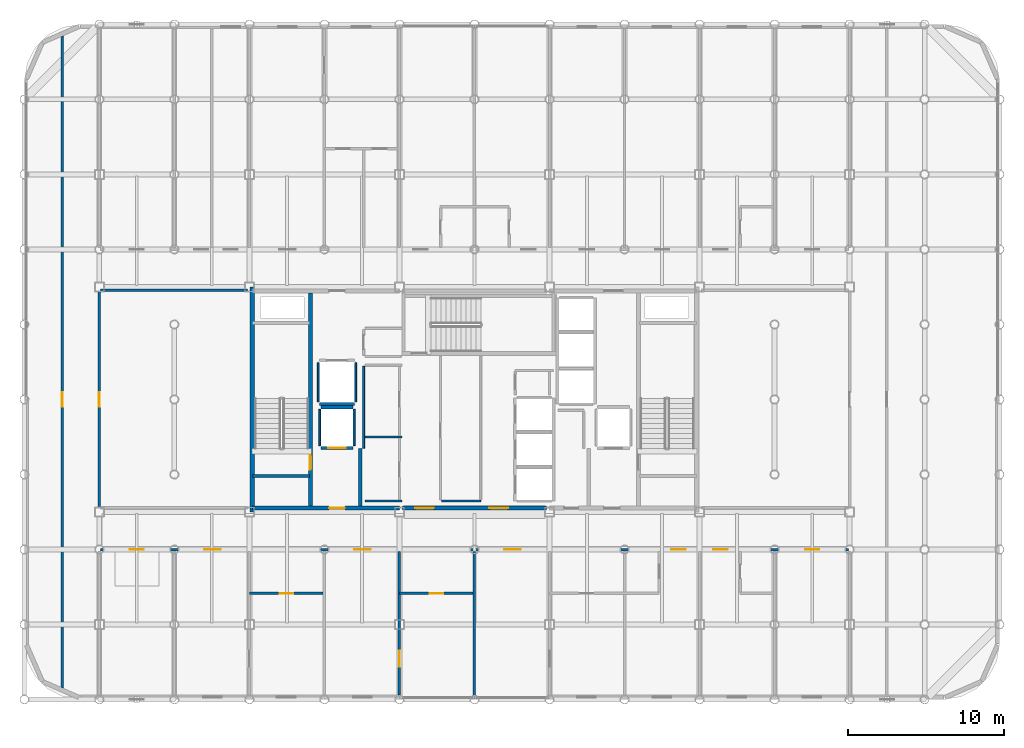
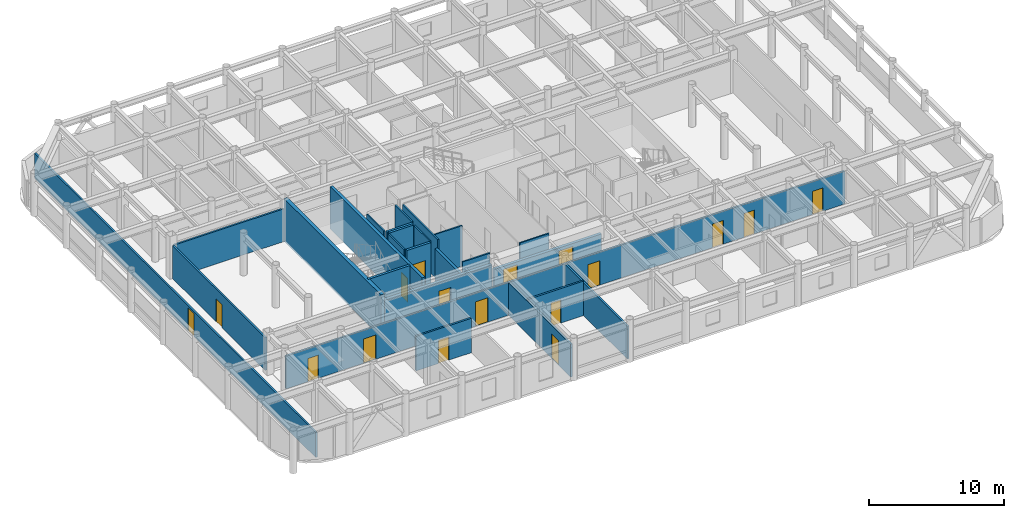
# One storey, part 18 of 24: 25 walls, 17 doors, 17 openings.
"""IFC4 building model written with IfcOpenShell, lengths in metres."""

from ifc_helpers import new_model, si_unit, direction, frame, frame_2d, origin, place, context, subcontext, project, spatial, rectangle, extrude, material, layer, layer_set, type_object, element, fill, save


model = new_model("IFC4")

# Units and contexts
model_context = context("Model", 3, precision=1e-05, world=origin(), true_north=direction((0.0, 1.0)))
body_context = subcontext(model_context, "Body", "Model", "MODEL_VIEW")
ifc_project = project(units=[si_unit("LENGTHUNIT", "METRE"), si_unit("AREAUNIT", "SQUARE_METRE"), si_unit("VOLUMEUNIT", "CUBIC_METRE"), si_unit("PLANEANGLEUNIT", "RADIAN"), si_unit("MASSUNIT", "GRAM", prefix="KILO")], contexts=[model_context])

# Site, building, storey
site_placement = place(None, origin())
site = spatial("IfcSite", under=ifc_project, at=site_placement, CompositionType="ELEMENT")
building_placement = place(site_placement, origin())
building = spatial("IfcBuilding", under=site, at=building_placement, Name="Kallvorn Hotel Tower", CompositionType="ELEMENT")
storey_placement = place(building_placement, frame((0.0, 0.0, 233.85009765625)))
storey = spatial("IfcBuildingStorey", under=building, at=storey_placement, Name="L58", CompositionType="ELEMENT", Elevation=233.85009765625)

# Wall
ifc_material_1 = material(Name="Concrete C50/60", Category="concrete")
ifc_layer_1 = layer(ifc_material_1, 0.300048828125)
ifc_layer_set_1 = layer_set([ifc_layer_1], Name="WL_CORE_300")
wall_type_1 = type_object("IfcWallType", Name="WL_CORE_300", PredefinedType="SHEAR", material=ifc_layer_set_1)
wall_1_placement = place(storey_placement, frame((-14.215087890625, -7.199951171875, -0.18017578125), z_axis=(0.0, 0.0, 1.0), x_axis=(0.0, 1.0, 0.0)))
element("IfcWall", 1, at=wall_1_placement, inside=storey, type_object=wall_type_1, Name="L58 Core West Shear Wall", PredefinedType="SHEAR", context=body_context, shape_type="SweptSolid", body=[
    extrude(rectangle(XDim=14.39990234375, YDim=0.300048828125, at=frame_2d((7.199951171875, 0.0))), origin(), (0.0, 0.0, 1.0), 3.85009765625),
])

# Wall, opening, door
ifc_material_2 = material(Name="Fire-rated double-layer acoustic gypsum drywall EI 60")
ifc_layer_2 = layer(ifc_material_2, 0.159912109375)
ifc_layer_set_2 = layer_set([ifc_layer_2], Name="WL_DEMISE_160")
wall_type_2 = type_object("IfcWallType", Name="WL_DEMISE_160", PredefinedType="PARTITIONING", material=ifc_layer_set_2)
wall_2_placement = place(storey_placement, frame((-14.39990234375, -12.409912109375, 0.0), z_axis=(0.0, 0.0, 1.0), x_axis=(1.0, 0.0, 0.0)))
wall_2 = element("IfcWall", 2, at=wall_2_placement, inside=storey, type_object=wall_type_2, Name="L58 Suite 5801 Executive Bedroom Partition", PredefinedType="PARTITIONING", context=body_context, shape_type="SweptSolid", body=[
    extrude(rectangle(XDim=4.719970703125, YDim=0.159912109375, at=frame_2d((2.35986328125, 0.0))), origin(), (0.0, 0.0, 1.0), 3.119873046875),
])
opening_1_placement = place(wall_2_placement, frame((1.929931640625, 0.0, 0.0)))
opening_1 = element("IfcOpeningElement", 3, at=opening_1_placement, cuts=wall_2, Name="Opening BD-I", PredefinedType="OPENING", context=body_context, shape_type="SweptSolid", body=[
    extrude(rectangle(XDim=0.860107421875, YDim=2.10009765625, at=frame_2d((0.43017578125, 1.050048828125))), frame((0.0, 0.094970703125, 0.0), z_axis=(0.0, -1.0, 0.0), x_axis=(1.0, 0.0, 0.0)), (0.0, 0.0, 1.0), 0.18994140625),
])
ifc_material_3 = material(Name="Solid-core walnut veneer fire-rated timber door leaf", Category="wood")
door_type_1 = type_object("IfcDoorType", Name="DR_BATH_860x2100", OperationType="NOTDEFINED", PredefinedType="DOOR", material=ifc_material_3)
door_1_placement = place(opening_1_placement, origin())
door_1 = element("IfcDoor", 4, at=door_1_placement, inside=storey, type_object=door_type_1, Name="L58 Suite 5801 En-Suite Bathroom Door", OperationType="SINGLE_SWING_RIGHT", OverallHeight=2.10009765625, OverallWidth=0.860107421875, PredefinedType="DOOR", context=body_context, shape_type="SweptSolid", body=[
    extrude(rectangle(XDim=0.860107421875, YDim=2.10009765625, at=frame_2d((0.43017578125, 1.050048828125))), frame((0.0, 0.02490234375, 0.0), z_axis=(0.0, -1.0, 0.0), x_axis=(1.0, 0.0, 0.0)), (0.0, 0.0, 1.0), 0.050048828125),
])
fill(opening_1, door_1)

wall_3_placement = place(storey_placement, frame((-4.800048828125, -12.409912109375, 0.0), z_axis=(0.0, 0.0, 1.0), x_axis=(1.0, 0.0, 0.0)))
wall_3 = element("IfcWall", 5, at=wall_3_placement, inside=storey, type_object=wall_type_2, Name="L58 Suite 5802 Executive Bedroom Partition", PredefinedType="PARTITIONING", context=body_context, shape_type="SweptSolid", body=[
    extrude(rectangle(XDim=4.719970703125, YDim=0.159912109375, at=frame_2d((2.35986328125, 0.0))), origin(), (0.0, 0.0, 1.0), 3.119873046875),
])
opening_2_placement = place(wall_3_placement, frame((1.929931640625, 0.0, 0.0)))
opening_2 = element("IfcOpeningElement", 6, at=opening_2_placement, cuts=wall_3, Name="Opening BD-I", PredefinedType="OPENING", context=body_context, shape_type="SweptSolid", body=[
    extrude(rectangle(XDim=0.860107421875, YDim=2.10009765625, at=frame_2d((0.43017578125, 1.050048828125))), frame((0.0, 0.094970703125, 0.0), z_axis=(0.0, -1.0, 0.0), x_axis=(1.0, 0.0, 0.0)), (0.0, 0.0, 1.0), 0.18994140625),
])
door_2_placement = place(opening_2_placement, origin())
door_2 = element("IfcDoor", 7, at=door_2_placement, inside=storey, type_object=door_type_1, Name="L58 Suite 5802 En-Suite Bathroom Door", OperationType="SINGLE_SWING_RIGHT", OverallHeight=2.10009765625, OverallWidth=0.860107421875, PredefinedType="DOOR", context=body_context, shape_type="SweptSolid", body=[
    extrude(rectangle(XDim=0.860107421875, YDim=2.10009765625, at=frame_2d((0.43017578125, 1.050048828125))), frame((0.0, 0.02490234375, 0.0), z_axis=(0.0, -1.0, 0.0), x_axis=(1.0, 0.0, 0.0)), (0.0, 0.0, 1.0), 0.050048828125),
])
fill(opening_2, door_2)

# Wall, openings, doors
wall_4_placement = place(storey_placement, frame((-23.919921875, -9.60009765625, 0.0), z_axis=(0.0, 0.0, 1.0), x_axis=(1.0, 0.0, 0.0)))
wall_4 = element("IfcWall", 8, at=wall_4_placement, inside=storey, type_object=wall_type_2, Name="L58 Suite 5801 Executive Living Salon Partition", PredefinedType="PARTITIONING", context=body_context, shape_type="SweptSolid", body=[
    extrude(rectangle(XDim=47.83984375, YDim=0.159912109375, at=frame_2d((23.919921875, 0.0))), origin(), (0.0, 0.0, 1.0), 2.969970703125),
])
opening_3_placement = place(wall_4_placement, frame((1.8701171875, 0.0, 0.0)))
opening_3 = element("IfcOpeningElement", 9, at=opening_3_placement, cuts=wall_4, Name="Opening SVD1", PredefinedType="OPENING", context=body_context, shape_type="SweptSolid", body=[
    extrude(rectangle(XDim=0.89990234375, YDim=2.10009765625, at=frame_2d((0.449951171875, 1.050048828125))), frame((0.0, 0.094970703125, 0.0), z_axis=(0.0, -1.0, 0.0), x_axis=(1.0, 0.0, 0.0)), (0.0, 0.0, 1.0), 0.18994140625),
])
opening_4_placement = place(wall_4_placement, frame((45.070068359375, 0.0, 0.0)))
opening_4 = element("IfcOpeningElement", 10, at=opening_4_placement, cuts=wall_4, Name="Opening SVD1", PredefinedType="OPENING", context=body_context, shape_type="SweptSolid", body=[
    extrude(rectangle(XDim=0.89990234375, YDim=2.10009765625, at=frame_2d((0.449951171875, 1.050048828125))), frame((0.0, 0.094970703125, 0.0), z_axis=(0.0, -1.0, 0.0), x_axis=(1.0, 0.0, 0.0)), (0.0, 0.0, 1.0), 0.18994140625),
])
opening_5_placement = place(wall_4_placement, frame((6.635009765625, 0.0, 0.0)))
opening_5 = element("IfcOpeningElement", 11, at=opening_5_placement, cuts=wall_4, Name="Opening GD2", PredefinedType="OPENING", context=body_context, shape_type="SweptSolid", body=[
    extrude(rectangle(XDim=1.050048828125, YDim=2.199951171875, at=frame_2d((0.52490234375, 1.10009765625))), frame((0.0, 0.094970703125, 0.0), z_axis=(0.0, -1.0, 0.0), x_axis=(1.0, 0.0, 0.0)), (0.0, 0.0, 1.0), 0.18994140625),
])
opening_6_placement = place(wall_4_placement, frame((16.235107421875, 0.0, 0.0)))
opening_6 = element("IfcOpeningElement", 12, at=opening_6_placement, cuts=wall_4, Name="Opening GD2", PredefinedType="OPENING", context=body_context, shape_type="SweptSolid", body=[
    extrude(rectangle(XDim=1.050048828125, YDim=2.199951171875, at=frame_2d((0.52490234375, 1.10009765625))), frame((0.0, 0.094970703125, 0.0), z_axis=(0.0, -1.0, 0.0), x_axis=(1.0, 0.0, 0.0)), (0.0, 0.0, 1.0), 0.18994140625),
])
opening_7_placement = place(wall_4_placement, frame((25.8349609375, 0.0, 0.0)))
opening_7 = element("IfcOpeningElement", 13, at=opening_7_placement, cuts=wall_4, Name="Opening GD2", PredefinedType="OPENING", context=body_context, shape_type="SweptSolid", body=[
    extrude(rectangle(XDim=1.050048828125, YDim=2.199951171875, at=frame_2d((0.52490234375, 1.10009765625))), frame((0.0, 0.094970703125, 0.0), z_axis=(0.0, -1.0, 0.0), x_axis=(1.0, 0.0, 0.0)), (0.0, 0.0, 1.0), 0.18994140625),
])
opening_8_placement = place(wall_4_placement, frame((36.52490234375, 0.0, 0.0)))
opening_8 = element("IfcOpeningElement", 14, at=opening_8_placement, cuts=wall_4, Name="Opening GD1", PredefinedType="OPENING", context=body_context, shape_type="SweptSolid", body=[
    extrude(rectangle(XDim=0.919921875, YDim=2.14990234375, at=frame_2d((0.4599609375, 1.074951171875))), frame((0.0, 0.094970703125, 0.0), z_axis=(0.0, -1.0, 0.0), x_axis=(1.0, 0.0, 0.0)), (0.0, 0.0, 1.0), 0.18994140625),
])
opening_9_placement = place(wall_4_placement, frame((39.195068359375, 0.0, 0.0)))
opening_9 = element("IfcOpeningElement", 15, at=opening_9_placement, cuts=wall_4, Name="Opening GD1", PredefinedType="OPENING", context=body_context, shape_type="SweptSolid", body=[
    extrude(rectangle(XDim=0.919921875, YDim=2.14990234375, at=frame_2d((0.4599609375, 1.074951171875))), frame((0.0, 0.094970703125, 0.0), z_axis=(0.0, -1.0, 0.0), x_axis=(1.0, 0.0, 0.0)), (0.0, 0.0, 1.0), 0.18994140625),
])
ifc_material_4 = material(Name="Solid-core walnut veneer fire-rated timber door leaf", Category="wood")
door_type_2 = type_object("IfcDoorType", Name="DR_GUEST_920x2150", OperationType="NOTDEFINED", PredefinedType="DOOR", material=ifc_material_4)
door_3_placement = place(opening_8_placement, origin())
door_3 = element("IfcDoor", 16, at=door_3_placement, inside=storey, type_object=door_type_2, Name="L58 Suite 5804 Deluxe King Room Door", OperationType="SINGLE_SWING_RIGHT", OverallHeight=2.14990234375, OverallWidth=0.919921875, PredefinedType="DOOR", context=body_context, shape_type="SweptSolid", body=[
    extrude(rectangle(XDim=0.919921875, YDim=2.14990234375, at=frame_2d((0.4599609375, 1.074951171875))), frame((0.0, 0.02490234375, 0.0), z_axis=(0.0, -1.0, 0.0), x_axis=(1.0, 0.0, 0.0)), (0.0, 0.0, 1.0), 0.050048828125),
])
fill(opening_8, door_3)
door_4_placement = place(opening_9_placement, origin())
door_4 = element("IfcDoor", 17, at=door_4_placement, inside=storey, type_object=door_type_2, Name="L58 Suite 5805 Deluxe King Room Door", OperationType="SINGLE_SWING_RIGHT", OverallHeight=2.14990234375, OverallWidth=0.919921875, PredefinedType="DOOR", context=body_context, shape_type="SweptSolid", body=[
    extrude(rectangle(XDim=0.919921875, YDim=2.14990234375, at=frame_2d((0.4599609375, 1.074951171875))), frame((0.0, 0.02490234375, 0.0), z_axis=(0.0, -1.0, 0.0), x_axis=(1.0, 0.0, 0.0)), (0.0, 0.0, 1.0), 0.050048828125),
])
fill(opening_9, door_4)
ifc_material_5 = material(Name="Galvanised painted steel fire-rated door assembly", Category="steel")
door_type_3 = type_object("IfcDoorType", Name="DR_SERV_900x2100", OperationType="NOTDEFINED", PredefinedType="DOOR", material=ifc_material_5)
door_5_placement = place(opening_3_placement, origin())
door_5 = element("IfcDoor", 18, at=door_5_placement, inside=storey, type_object=door_type_3, Name="L58 L58 High-Zone South-West Tea Bar Door", OperationType="SINGLE_SWING_LEFT", OverallHeight=2.10009765625, OverallWidth=0.89990234375, PredefinedType="DOOR", context=body_context, shape_type="SweptSolid", body=[
    extrude(rectangle(XDim=0.89990234375, YDim=2.10009765625, at=frame_2d((0.449951171875, 1.050048828125))), frame((0.0, 0.02490234375, 0.0), z_axis=(0.0, -1.0, 0.0), x_axis=(1.0, 0.0, 0.0)), (0.0, 0.0, 1.0), 0.050048828125),
])
fill(opening_3, door_5)
door_6_placement = place(opening_4_placement, origin())
door_6 = element("IfcDoor", 19, at=door_6_placement, inside=storey, type_object=door_type_3, Name="L58 L58 High-Zone South-East Wine Bar Door", OperationType="SINGLE_SWING_LEFT", OverallHeight=2.10009765625, OverallWidth=0.89990234375, PredefinedType="DOOR", context=body_context, shape_type="SweptSolid", body=[
    extrude(rectangle(XDim=0.89990234375, YDim=2.10009765625, at=frame_2d((0.449951171875, 1.050048828125))), frame((0.0, 0.02490234375, 0.0), z_axis=(0.0, -1.0, 0.0), x_axis=(1.0, 0.0, 0.0)), (0.0, 0.0, 1.0), 0.050048828125),
])
fill(opening_4, door_6)
ifc_material_6 = material(Name="Solid-core walnut veneer fire-rated timber door leaf", Category="wood")
door_type_4 = type_object("IfcDoorType", Name="DR_SUITE_1050x2200", OperationType="NOTDEFINED", PredefinedType="DOOR", material=ifc_material_6)
door_7_placement = place(opening_5_placement, origin())
door_7 = element("IfcDoor", 20, at=door_7_placement, inside=storey, type_object=door_type_4, Name="L58 Suite 5801 Executive Living Salon Door", OperationType="SINGLE_SWING_LEFT", OverallHeight=2.199951171875, OverallWidth=1.050048828125, PredefinedType="DOOR", context=body_context, shape_type="SweptSolid", body=[
    extrude(rectangle(XDim=1.050048828125, YDim=2.199951171875, at=frame_2d((0.52490234375, 1.10009765625))), frame((0.0, 0.02490234375, 0.0), z_axis=(0.0, -1.0, 0.0), x_axis=(1.0, 0.0, 0.0)), (0.0, 0.0, 1.0), 0.050048828125),
])
fill(opening_5, door_7)
door_8_placement = place(opening_6_placement, origin())
door_8 = element("IfcDoor", 21, at=door_8_placement, inside=storey, type_object=door_type_4, Name="L58 Suite 5802 Executive Living Salon Door", OperationType="SINGLE_SWING_RIGHT", OverallHeight=2.199951171875, OverallWidth=1.050048828125, PredefinedType="DOOR", context=body_context, shape_type="SweptSolid", body=[
    extrude(rectangle(XDim=1.050048828125, YDim=2.199951171875, at=frame_2d((0.52490234375, 1.10009765625))), frame((0.0, 0.02490234375, 0.0), z_axis=(0.0, -1.0, 0.0), x_axis=(1.0, 0.0, 0.0)), (0.0, 0.0, 1.0), 0.050048828125),
])
fill(opening_6, door_8)
door_9_placement = place(opening_7_placement, origin())
door_9 = element("IfcDoor", 22, at=door_9_placement, inside=storey, type_object=door_type_4, Name="L58 Suite 5803 Executive Living Salon Door", OperationType="SINGLE_SWING_RIGHT", OverallHeight=2.199951171875, OverallWidth=1.050048828125, PredefinedType="DOOR", context=body_context, shape_type="SweptSolid", body=[
    extrude(rectangle(XDim=1.050048828125, YDim=2.199951171875, at=frame_2d((0.52490234375, 1.10009765625))), frame((0.0, 0.02490234375, 0.0), z_axis=(0.0, -1.0, 0.0), x_axis=(1.0, 0.0, 0.0)), (0.0, 0.0, 1.0), 0.050048828125),
])
fill(opening_7, door_9)

# Wall, opening, door
wall_5_placement = place(storey_placement, frame((-4.800048828125, -18.909912109375, 0.0), z_axis=(0.0, 0.0, 1.0), x_axis=(0.0, 1.0, 0.0)))
wall_5 = element("IfcWall", 23, at=wall_5_placement, inside=storey, type_object=wall_type_2, Name="L58 Suite 5802 Executive Bedroom Partition", PredefinedType="PARTITIONING", context=body_context, shape_type="SweptSolid", body=[
    extrude(rectangle(XDim=9.18994140625, YDim=0.159912109375, at=frame_2d((4.594970703125, 0.0))), origin(), (0.0, 0.0, 1.0), 2.969970703125),
])
opening_10_placement = place(wall_5_placement, frame((1.79296875, 0.0, 0.0)))
opening_10 = element("IfcOpeningElement", 24, at=opening_10_placement, cuts=wall_5, Name="Opening GD2", PredefinedType="OPENING", context=body_context, shape_type="SweptSolid", body=[
    extrude(rectangle(XDim=1.050048828125, YDim=2.199951171875, at=frame_2d((0.52490234375, 1.10009765625))), frame((0.0, 0.094970703125, 0.0), z_axis=(0.0, -1.0, 0.0), x_axis=(1.0, 0.0, 0.0)), (0.0, 0.0, 1.0), 0.18994140625),
])
door_10_placement = place(opening_10_placement, origin())
door_10 = element("IfcDoor", 25, at=door_10_placement, inside=storey, type_object=door_type_4, Name="L58 Suite 5802 Executive Bedroom Door", OperationType="SINGLE_SWING_LEFT", OverallHeight=2.199951171875, OverallWidth=1.050048828125, PredefinedType="DOOR", context=body_context, shape_type="SweptSolid", body=[
    extrude(rectangle(XDim=1.050048828125, YDim=2.199951171875, at=frame_2d((0.52490234375, 1.10009765625))), frame((0.0, 0.02490234375, 0.0), z_axis=(0.0, -1.0, 0.0), x_axis=(1.0, 0.0, 0.0)), (0.0, 0.0, 1.0), 0.050048828125),
])
fill(opening_10, door_10)

# Walls
wall_6_placement = place(storey_placement, frame((0.0, -18.9951171875, 0.0), z_axis=(0.0, 0.0, 1.0), x_axis=(0.0, 1.0, 0.0)))
element("IfcWall", 26, at=wall_6_placement, inside=storey, type_object=wall_type_2, Name="L58 Suite 5802 Executive Bedroom Partition", PredefinedType="PARTITIONING", context=body_context, shape_type="SweptSolid", body=[
    extrude(rectangle(XDim=9.275146484375, YDim=0.159912109375, at=frame_2d((4.6376953125, 0.0))), origin(), (0.0, 0.0, 1.0), 2.969970703125),
])
ifc_material_7 = material(Name="Concrete C40/50", Category="concrete")
ifc_layer_3 = layer(ifc_material_7, 0.219970703125)
ifc_layer_set_3 = layer_set([ifc_layer_3], Name="WL_FFL_220")
wall_type_3 = type_object("IfcWallType", Name="WL_FFL_220", PredefinedType="SOLIDWALL", material=ifc_layer_set_3)
wall_7_placement = place(storey_placement, frame((-7.300048828125, -6.820068359375, 0.0), z_axis=(0.0, 0.0, 1.0), x_axis=(0.0, 1.0, 0.0)))
element("IfcWall", 27, at=wall_7_placement, inside=storey, type_object=wall_type_3, Name="L58 Firefighting Lobby West Divider Wall", PredefinedType="SOLIDWALL", context=body_context, shape_type="SweptSolid", body=[
    extrude(rectangle(XDim=3.670166015625, YDim=0.219970703125, at=frame_2d((1.8349609375, 0.0))), origin(), (0.0, 0.0, 1.0), 2.969970703125),
])
ifc_material_8 = material(Name="Concrete C40/50", Category="concrete")
ifc_layer_4 = layer(ifc_material_8, 0.199951171875)
ifc_layer_set_4 = layer_set([ifc_layer_4], Name="WL_HOIST_200")
wall_type_4 = type_object("IfcWallType", Name="WL_HOIST_200", PredefinedType="SOLIDWALL", material=ifc_layer_set_4)
wall_8_placement = place(storey_placement, frame((-14.199951171875, -4.89990234375, -0.18017578125), z_axis=(0.0, 0.0, 1.0), x_axis=(1.0, 0.0, 0.0)))
element("IfcWall", 28, at=wall_8_placement, inside=storey, type_object=wall_type_4, Name="L58 Stair ST1 South Wall", PredefinedType="SOLIDWALL", context=body_context, shape_type="SweptSolid", body=[
    extrude(rectangle(XDim=3.64990234375, YDim=0.199951171875, at=frame_2d((1.824951171875, 0.0))), origin(), (0.0, 0.0, 1.0), 3.85009765625),
])

# Wall, opening, door
wall_9_placement = place(storey_placement, frame((-9.820068359375, -3.10009765625, 0.0), z_axis=(0.0, 0.0, 1.0), x_axis=(1.0, 0.0, 0.0)))
wall_9 = element("IfcWall", 29, at=wall_9_placement, inside=storey, type_object=wall_type_4, Name="L58 FL-1 Landing Wall", PredefinedType="SOLIDWALL", context=body_context, shape_type="SweptSolid", body=[
    extrude(rectangle(XDim=2.0400390625, YDim=0.199951171875, at=frame_2d((1.02001953125, 0.0))), origin(), (0.0, 0.0, 1.0), 3.669921875),
])
opening_11_placement = place(wall_9_placement, frame((0.469970703125, 0.0, 0.0)))
opening_11 = element("IfcOpeningElement", 30, at=opening_11_placement, cuts=wall_9, Name="Opening LD-FL-1", PredefinedType="OPENING", context=body_context, shape_type="SweptSolid", body=[
    extrude(rectangle(XDim=1.10009765625, YDim=2.199951171875, at=frame_2d((0.550048828125, 1.10009765625))), frame((0.0, 0.114990234375, 0.0), z_axis=(0.0, -1.0, 0.0), x_axis=(1.0, 0.0, 0.0)), (0.0, 0.0, 1.0), 0.22998046875),
])
ifc_material_9 = material(Name="Brushed stainless-steel automatic sliding lift landing door", Category="steel")
door_type_5 = type_object("IfcDoorType", Name="LD_PASS_1100x2200", OperationType="SLIDING_TO_LEFT", PredefinedType="DOOR", material=ifc_material_9)
door_11_placement = place(opening_11_placement, origin())
door_11 = element("IfcDoor", 31, at=door_11_placement, inside=storey, type_object=door_type_5, Name="L58 Lift Landing Sliding Door LD-FL-1", OperationType="SLIDING_TO_LEFT", OverallHeight=2.199951171875, OverallWidth=1.10009765625, PredefinedType="DOOR", context=body_context, shape_type="SweptSolid", body=[
    extrude(rectangle(XDim=1.10009765625, YDim=2.199951171875, at=frame_2d((0.550048828125, 1.10009765625))), frame((0.0, 0.02490234375, 0.0), z_axis=(0.0, -1.0, 0.0), x_axis=(1.0, 0.0, 0.0)), (0.0, 0.0, 1.0), 0.050048828125),
])
fill(opening_11, door_11)

# Walls
wall_10_placement = place(storey_placement, frame((-9.820068359375, -0.5, 0.0), z_axis=(0.0, 0.0, 1.0), x_axis=(1.0, 0.0, 0.0)))
element("IfcWall", 32, at=wall_10_placement, inside=storey, type_object=wall_type_4, Name="L58 FL-1 Rear Shaft Wall", PredefinedType="SOLIDWALL", context=body_context, shape_type="SweptSolid", body=[
    extrude(rectangle(XDim=2.0400390625, YDim=0.199951171875, at=frame_2d((1.02001953125, 0.0))), origin(), (0.0, 0.0, 1.0), 3.669921875),
])
wall_11_placement = place(storey_placement, frame((-9.919921875, -0.300048828125, 0.0), z_axis=(0.0, 0.0, 1.0), x_axis=(1.0, 0.0, 0.0)))
element("IfcWall", 33, at=wall_11_placement, inside=storey, type_object=wall_type_4, Name="L58 SV-01 Rear Shaft Wall", PredefinedType="SOLIDWALL", context=body_context, shape_type="SweptSolid", body=[
    extrude(rectangle(XDim=2.239990234375, YDim=0.199951171875, at=frame_2d((1.1201171875, 0.0))), origin(), (0.0, 0.0, 1.0), 3.669921875),
])
ifc_material_10 = material(Name="Fire-rated double-layer acoustic gypsum drywall EI 60")
ifc_layer_5 = layer(ifc_material_10, 0.1201171875)
ifc_layer_set_5 = layer_set([ifc_layer_5], Name="WL_INT_120")
wall_type_5 = type_object("IfcWallType", Name="WL_INT_120", PredefinedType="PARTITIONING", material=ifc_layer_set_5)
for number, where, z_axis, x_axis, name in (
    (34, (-9.89990234375, -2.9599609375, 0.0), (0.0, 0.0, 1.0), (0.0, 1.0, 0.0), "L58 FL-1 West Shaft Wall"),
    (35, (-7.699951171875, -2.9599609375, 0.0), (0.0, 0.0, 1.0), (0.0, 1.0, 0.0), "L58 FL-1 East Shaft Wall"),
):
    element("IfcWall", number, at=place(storey_placement, frame(where, z_axis=z_axis, x_axis=x_axis)), inside=storey, type_object=wall_type_5, Name=name, PredefinedType="PARTITIONING", context=body_context, shape_type="SweptSolid", body=[
        extrude(rectangle(XDim=2.320068359375, YDim=0.1201171875, at=frame_2d((1.16015625, 0.0))), origin(), (0.0, 0.0, 1.0), 3.669921875),
    ])
for number, where, z_axis, x_axis, name in (
    (36, (-10.0, -0.159912109375, 0.0), (0.0, 0.0, 1.0), (0.0, 1.0, 0.0), "L58 SV-01 West Shaft Wall"),
    (37, (-7.60009765625, -0.159912109375, 0.0), (0.0, 0.0, 1.0), (0.0, 1.0, 0.0), "L58 SV-01 East Shaft Wall"),
):
    element("IfcWall", number, at=place(storey_placement, frame(where, z_axis=z_axis, x_axis=x_axis)), inside=storey, type_object=wall_type_5, Name=name, PredefinedType="PARTITIONING", context=body_context, shape_type="SweptSolid", body=[
        extrude(rectangle(XDim=2.52001953125, YDim=0.1201171875, at=frame_2d((1.260009765625, 0.0))), origin(), (0.0, 0.0, 1.0), 3.669921875),
    ])
wall_12_placement = place(storey_placement, frame((-7.0, -6.5, 0.0), z_axis=(0.0, 0.0, 1.0), x_axis=(1.0, 0.0, 0.0)))
element("IfcWall", 38, at=wall_12_placement, inside=storey, type_object=wall_type_5, Name="L58 Recaptured South Minibar Pantry Partition", PredefinedType="PARTITIONING", context=body_context, shape_type="SweptSolid", body=[
    extrude(rectangle(XDim=2.35009765625, YDim=0.1201171875, at=frame_2d((1.175048828125, 0.0))), origin(), (0.0, 0.0, 1.0), 3.669921875),
])
wall_13_placement = place(storey_placement, frame((-2.10009765625, -6.5, 0.0), z_axis=(0.0, 0.0, 1.0), x_axis=(1.0, 0.0, 0.0)))
element("IfcWall", 39, at=wall_13_placement, inside=storey, type_object=wall_type_5, Name="L58 Altitude Executive Pantry and Ice Room Partition", PredefinedType="PARTITIONING", context=body_context, shape_type="SweptSolid", body=[
    extrude(rectangle(XDim=2.5, YDim=0.1201171875, at=frame_2d((1.25, 0.0))), origin(), (0.0, 0.0, 1.0), 3.669921875),
])
wall_14_placement = place(storey_placement, frame((-7.0, -2.39990234375, 0.0), z_axis=(0.0, 0.0, 1.0), x_axis=(1.0, 0.0, 0.0)))
element("IfcWall", 40, at=wall_14_placement, inside=storey, type_object=wall_type_5, Name="L58 Recaptured Central Linen Store Partition", PredefinedType="PARTITIONING", context=body_context, shape_type="SweptSolid", body=[
    extrude(rectangle(XDim=2.35009765625, YDim=0.1201171875, at=frame_2d((1.175048828125, 0.0))), origin(), (0.0, 0.0, 1.0), 3.669921875),
])
wall_15_placement = place(storey_placement, frame((-7.095947265625, -3.110107421875, 0.0), z_axis=(0.0, 0.0, 1.0), x_axis=(0.0, 1.0, 0.0)))
element("IfcWall", 41, at=wall_15_placement, inside=storey, type_object=wall_type_5, Name="L58 Recaptured South Minibar Pantry Partition", PredefinedType="PARTITIONING", context=body_context, shape_type="SweptSolid", body=[
    extrude(rectangle(XDim=5.22509765625, YDim=0.1201171875, at=frame_2d((2.612548828125, 0.0))), origin(), (0.0, 0.0, 1.0), 3.669921875),
])
ifc_material_11 = material(Name="Fire-rated double-layer acoustic gypsum drywall EI 60")
ifc_layer_6 = layer(ifc_material_11, 0.14990234375)
ifc_layer_set_6 = layer_set([ifc_layer_6], Name="WL_PART_150")
wall_type_6 = type_object("IfcWallType", Name="WL_PART_150", PredefinedType="PARTITIONING", material=ifc_layer_set_6)
wall_16_placement = place(storey_placement, frame((-23.919921875, 6.97998046875, 0.0), z_axis=(0.0, 0.0, 1.0), x_axis=(1.0, 0.0, 0.0)))
element("IfcWall", 42, at=wall_16_placement, inside=storey, type_object=wall_type_6, Name="L58 L58 High-Zone Inner West Club Bar Partition", PredefinedType="PARTITIONING", context=body_context, shape_type="SweptSolid", body=[
    extrude(rectangle(XDim=9.39990234375, YDim=0.14990234375, at=frame_2d((4.699951171875, 0.0))), origin(), (0.0, 0.0, 1.0), 2.969970703125),
])

# Wall, opening, door
wall_17_placement = place(storey_placement, frame((-26.3798828125, -18.447265625, 0.0), z_axis=(0.0, 0.0, 1.0), x_axis=(0.0, 1.0, 0.0)))
wall_17 = element("IfcWall", 43, at=wall_17_placement, inside=storey, type_object=wall_type_6, Name="L58 L58 Outer West Sky Observatory Salon Partition", PredefinedType="PARTITIONING", context=body_context, shape_type="SweptSolid", body=[
    extrude(rectangle(XDim=41.694580078125, YDim=0.14990234375, at=frame_2d((20.84716796875, 0.0))), origin(), (0.0, 0.0, 1.0), 2.27001953125),
])
opening_12_placement = place(wall_17_placement, frame((17.997314453125, 0.0, 0.0)))
opening_12 = element("IfcOpeningElement", 44, at=opening_12_placement, cuts=wall_17, Name="Opening SVD1", PredefinedType="OPENING", context=body_context, shape_type="SweptSolid", body=[
    extrude(rectangle(XDim=0.89990234375, YDim=2.10009765625, at=frame_2d((0.449951171875, 1.050048828125))), frame((0.0, 0.08984375, 0.0), z_axis=(0.0, -1.0, 0.0), x_axis=(1.0, 0.0, 0.0)), (0.0, 0.0, 1.0), 0.179931640625),
])
door_12_placement = place(opening_12_placement, origin())
door_12 = element("IfcDoor", 45, at=door_12_placement, inside=storey, type_object=door_type_3, Name="L58 L58 Outer West Sky Observatory Salon Door", OperationType="SINGLE_SWING_RIGHT", OverallHeight=2.10009765625, OverallWidth=0.89990234375, PredefinedType="DOOR", context=body_context, shape_type="SweptSolid", body=[
    extrude(rectangle(XDim=0.89990234375, YDim=2.10009765625, at=frame_2d((0.449951171875, 1.050048828125))), frame((0.0, 0.02490234375, 0.0), z_axis=(0.0, -1.0, 0.0), x_axis=(1.0, 0.0, 0.0)), (0.0, 0.0, 1.0), 0.050048828125),
])
fill(opening_12, door_12)

wall_18_placement = place(storey_placement, frame((-24.0, -6.8349609375, 0.0), z_axis=(0.0, 0.0, 1.0), x_axis=(0.0, 1.0, 0.0)))
wall_18 = element("IfcWall", 46, at=wall_18_placement, inside=storey, type_object=wall_type_6, Name="L58 L58 High-Zone Inner West Club Bar Partition", PredefinedType="PARTITIONING", context=body_context, shape_type="SweptSolid", body=[
    extrude(rectangle(XDim=13.72998046875, YDim=0.14990234375, at=frame_2d((6.864990234375, 0.0))), origin(), (0.0, 0.0, 1.0), 2.969970703125),
])
opening_13_placement = place(wall_18_placement, frame((6.385009765625, 0.0, 0.0)))
opening_13 = element("IfcOpeningElement", 47, at=opening_13_placement, cuts=wall_18, Name="Opening SVD1", PredefinedType="OPENING", context=body_context, shape_type="SweptSolid", body=[
    extrude(rectangle(XDim=0.89990234375, YDim=2.10009765625, at=frame_2d((0.449951171875, 1.050048828125))), frame((0.0, 0.08984375, 0.0), z_axis=(0.0, -1.0, 0.0), x_axis=(1.0, 0.0, 0.0)), (0.0, 0.0, 1.0), 0.179931640625),
])
door_13_placement = place(opening_13_placement, origin())
door_13 = element("IfcDoor", 48, at=door_13_placement, inside=storey, type_object=door_type_3, Name="L58 L58 High-Zone Inner West Club Bar Door", OperationType="SINGLE_SWING_RIGHT", OverallHeight=2.10009765625, OverallWidth=0.89990234375, PredefinedType="DOOR", context=body_context, shape_type="SweptSolid", body=[
    extrude(rectangle(XDim=0.89990234375, YDim=2.10009765625, at=frame_2d((0.449951171875, 1.050048828125))), frame((0.0, 0.02490234375, 0.0), z_axis=(0.0, -1.0, 0.0), x_axis=(1.0, 0.0, 0.0)), (0.0, 0.0, 1.0), 0.050048828125),
])
fill(opening_13, door_13)

ifc_material_12 = material(Name="Concrete C40/50", Category="concrete")
ifc_layer_7 = layer(ifc_material_12, 0.25)
ifc_layer_set_7 = layer_set([ifc_layer_7], Name="WL_SHAFT_250")
wall_type_7 = type_object("IfcWallType", Name="WL_SHAFT_250", PredefinedType="SOLIDWALL", material=ifc_layer_set_7)
wall_19_placement = place(storey_placement, frame((-14.199951171875, -6.949951171875, 0.0), z_axis=(0.0, 0.0, 1.0), x_axis=(1.0, 0.0, 0.0)))
wall_19 = element("IfcWall", 49, at=wall_19_placement, inside=storey, type_object=wall_type_7, Name="L58 Core South-West Wall", PredefinedType="SOLIDWALL", context=body_context, shape_type="SweptSolid", body=[
    extrude(rectangle(XDim=9.39990234375, YDim=0.25, at=frame_2d((4.699951171875, 0.0))), origin(), (0.0, 0.0, 1.0), 2.969970703125),
])
opening_14_placement = place(wall_19_placement, frame((4.89990234375, 0.0, 0.0)))
opening_14 = element("IfcOpeningElement", 50, at=opening_14_placement, cuts=wall_19, Name="Opening FD1", PredefinedType="OPENING", context=body_context, shape_type="SweptSolid", body=[
    extrude(rectangle(XDim=1.0, YDim=2.14990234375, at=frame_2d((0.5, 1.074951171875))), frame((0.0, 0.139892578125, 0.0), z_axis=(0.0, -1.0, 0.0), x_axis=(1.0, 0.0, 0.0)), (0.0, 0.0, 1.0), 0.280029296875),
])
ifc_material_13 = material(Name="Galvanised painted steel fire-rated door assembly", Category="steel")
door_type_6 = type_object("IfcDoorType", Name="DR_FFL_1000x2150", OperationType="NOTDEFINED", PredefinedType="DOOR", material=ifc_material_13)
door_14_placement = place(opening_14_placement, origin())
door_14 = element("IfcDoor", 51, at=door_14_placement, inside=storey, type_object=door_type_6, Name="L58 Firefighting Lobby West Door", OperationType="SINGLE_SWING_LEFT", OverallHeight=2.14990234375, OverallWidth=1.0, PredefinedType="DOOR", context=body_context, shape_type="SweptSolid", body=[
    extrude(rectangle(XDim=1.0, YDim=2.14990234375, at=frame_2d((0.5, 1.074951171875))), frame((0.0, 0.02490234375, 0.0), z_axis=(0.0, -1.0, 0.0), x_axis=(1.0, 0.0, 0.0)), (0.0, 0.0, 1.0), 0.050048828125),
])
fill(opening_14, door_14)

# Wall, openings, doors
wall_20_placement = place(storey_placement, frame((-4.60009765625, -6.949951171875, 0.0), z_axis=(0.0, 0.0, 1.0), x_axis=(1.0, 0.0, 0.0)))
wall_20 = element("IfcWall", 52, at=wall_20_placement, inside=storey, type_object=wall_type_7, Name="L58 Core South-Central Wall", PredefinedType="SOLIDWALL", context=body_context, shape_type="SweptSolid", body=[
    extrude(rectangle(XDim=9.2001953125, YDim=0.25, at=frame_2d((4.60009765625, 0.0))), origin(), (0.0, 0.0, 1.0), 2.469970703125),
])
opening_15_placement = place(wall_20_placement, frame((0.800048828125, 0.0, 0.0)))
opening_15 = element("IfcOpeningElement", 53, at=opening_15_placement, cuts=wall_20, Name="Opening FD2", PredefinedType="OPENING", context=body_context, shape_type="SweptSolid", body=[
    extrude(rectangle(XDim=1.199951171875, YDim=2.199951171875, at=frame_2d((0.60009765625, 1.10009765625))), frame((0.0, 0.139892578125, 0.0), z_axis=(0.0, -1.0, 0.0), x_axis=(1.0, 0.0, 0.0)), (0.0, 0.0, 1.0), 0.280029296875),
])
opening_16_placement = place(wall_20_placement, frame((5.550048828125, 0.0, 0.0)))
opening_16 = element("IfcOpeningElement", 54, at=opening_16_placement, cuts=wall_20, Name="Opening FD2", PredefinedType="OPENING", context=body_context, shape_type="SweptSolid", body=[
    extrude(rectangle(XDim=1.199951171875, YDim=2.199951171875, at=frame_2d((0.60009765625, 1.10009765625))), frame((0.0, 0.139892578125, 0.0), z_axis=(0.0, -1.0, 0.0), x_axis=(1.0, 0.0, 0.0)), (0.0, 0.0, 1.0), 0.280029296875),
])
ifc_material_14 = material(Name="Galvanised painted steel fire-rated door assembly", Category="steel")
door_type_7 = type_object("IfcDoorType", Name="DR_LOBBY_1200x2200", OperationType="DOUBLE_DOOR_SINGLE_SWING", PredefinedType="DOOR", material=ifc_material_14)
door_15_placement = place(opening_15_placement, origin())
door_15 = element("IfcDoor", 55, at=door_15_placement, inside=storey, type_object=door_type_7, Name="L58 West Passenger Lift Lobby Door", OperationType="DOUBLE_DOOR_SINGLE_SWING", OverallHeight=2.199951171875, OverallWidth=1.199951171875, PredefinedType="DOOR", context=body_context, shape_type="SweptSolid", body=[
    extrude(rectangle(XDim=1.199951171875, YDim=2.199951171875, at=frame_2d((0.60009765625, 1.10009765625))), frame((0.0, 0.02490234375, 0.0), z_axis=(0.0, -1.0, 0.0), x_axis=(1.0, 0.0, 0.0)), (0.0, 0.0, 1.0), 0.050048828125),
])
fill(opening_15, door_15)
door_16_placement = place(opening_16_placement, origin())
door_16 = element("IfcDoor", 56, at=door_16_placement, inside=storey, type_object=door_type_7, Name="L58 East Passenger Lift Lobby Door", OperationType="DOUBLE_DOOR_SINGLE_SWING", OverallHeight=2.199951171875, OverallWidth=1.199951171875, PredefinedType="DOOR", context=body_context, shape_type="SweptSolid", body=[
    extrude(rectangle(XDim=1.199951171875, YDim=2.199951171875, at=frame_2d((0.60009765625, 1.10009765625))), frame((0.0, 0.02490234375, 0.0), z_axis=(0.0, -1.0, 0.0), x_axis=(1.0, 0.0, 0.0)), (0.0, 0.0, 1.0), 0.050048828125),
])
fill(opening_16, door_16)

# Wall, opening, door
wall_21_placement = place(storey_placement, frame((-10.5, -6.820068359375, -0.18017578125), z_axis=(0.0, 0.0, 1.0), x_axis=(0.0, 1.0, 0.0)))
wall_21 = element("IfcWall", 57, at=wall_21_placement, inside=storey, type_object=wall_type_7, Name="L58 Stair ST1 Shaft Wall", PredefinedType="SOLIDWALL", context=body_context, shape_type="SweptSolid", body=[
    extrude(rectangle(XDim=13.64013671875, YDim=0.25, at=frame_2d((6.820068359375, 0.0))), origin(), (0.0, 0.0, 1.0), 3.85009765625),
])
opening_17_placement = place(wall_21_placement, frame((2.320068359375, 0.0, 0.179931640625)))
opening_17 = element("IfcOpeningElement", 58, at=opening_17_placement, cuts=wall_21, Name="Opening SD1", PredefinedType="OPENING", context=body_context, shape_type="SweptSolid", body=[
    extrude(rectangle(XDim=0.949951171875, YDim=2.14990234375, at=frame_2d((0.47509765625, 1.074951171875))), frame((0.0, 0.139892578125, 0.0), z_axis=(0.0, -1.0, 0.0), x_axis=(1.0, 0.0, 0.0)), (0.0, 0.0, 1.0), 0.280029296875),
])
ifc_material_15 = material(Name="Galvanised painted steel fire-rated door assembly", Category="steel")
door_type_8 = type_object("IfcDoorType", Name="DR_STAIR_950x2150", OperationType="NOTDEFINED", PredefinedType="DOOR", material=ifc_material_15)
door_17_placement = place(opening_17_placement, origin())
door_17 = element("IfcDoor", 59, at=door_17_placement, inside=storey, type_object=door_type_8, Name="L58 Exit Stair ST1 Fire Door", OperationType="SINGLE_SWING_RIGHT", OverallHeight=2.14990234375, OverallWidth=0.949951171875, PredefinedType="DOOR", context=body_context, shape_type="SweptSolid", body=[
    extrude(rectangle(XDim=0.949951171875, YDim=2.14990234375, at=frame_2d((0.47509765625, 1.074951171875))), frame((0.0, 0.02490234375, 0.0), z_axis=(0.0, -1.0, 0.0), x_axis=(1.0, 0.0, 0.0)), (0.0, 0.0, 1.0), 0.050048828125),
])
fill(opening_17, door_17)

save(model, "model.ifc")
